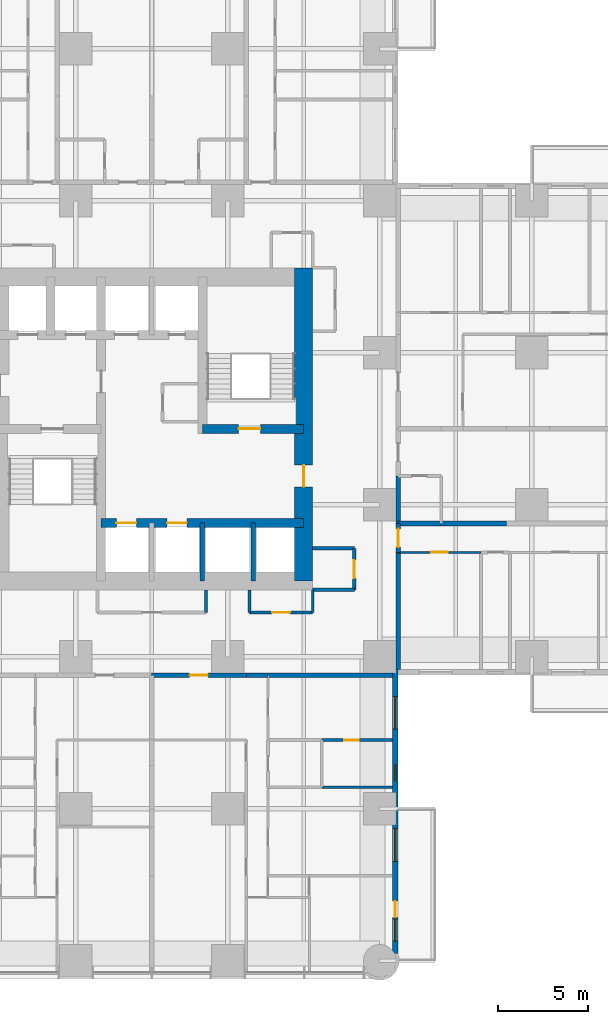
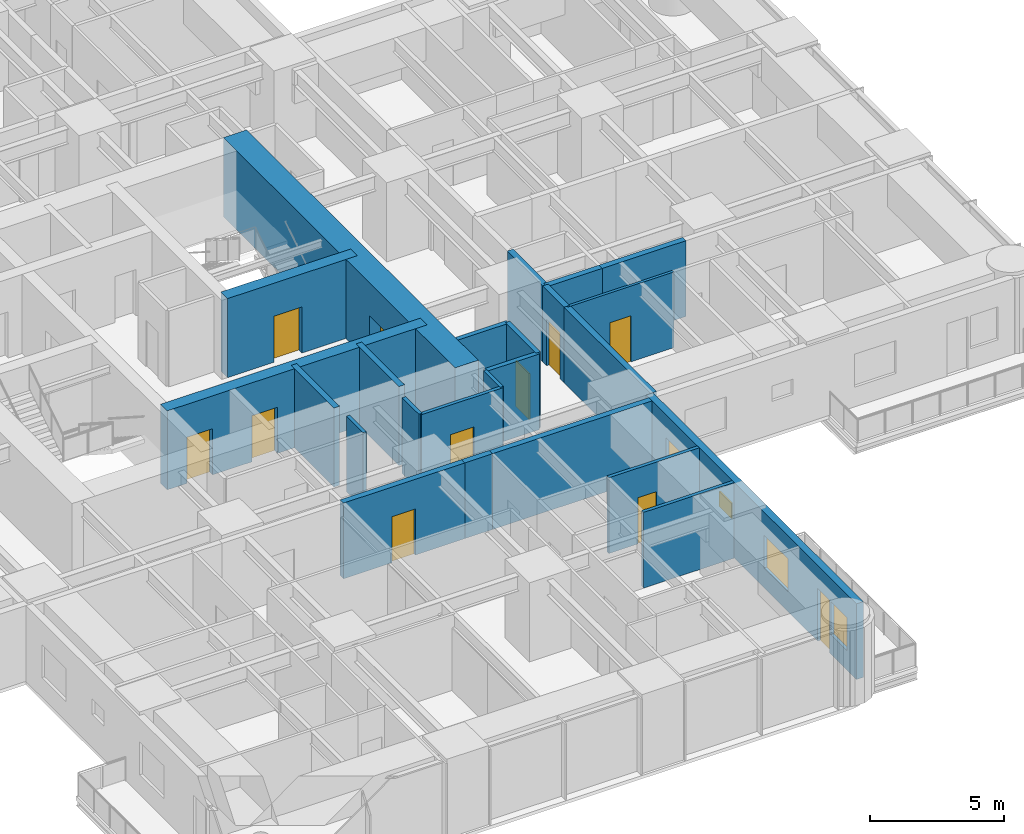
# One storey, part 10 of 17: 24 walls, 11 doors, 4 windows, 15 openings.
"""IFC4 building model written with IfcOpenShell, lengths in metres."""

from ifc_helpers import new_model, si_unit, direction, frame, frame_2d, origin, place, context, subcontext, project, spatial, rectangle, extrude, material, layer, layer_set, type_object, element, fill, save


model = new_model("IFC4")

# Units and contexts
model_context = context("Model", 3, precision=1e-05, world=origin(), true_north=direction((0.0, 1.0)))
body_context = subcontext(model_context, "Body", "Model", "MODEL_VIEW")
ifc_project = project(units=[si_unit("LENGTHUNIT", "METRE"), si_unit("AREAUNIT", "SQUARE_METRE"), si_unit("VOLUMEUNIT", "CUBIC_METRE"), si_unit("PLANEANGLEUNIT", "RADIAN"), si_unit("MASSUNIT", "GRAM", prefix="KILO")], contexts=[model_context])

# Site, building, storey
site_placement = place(None, origin())
site = spatial("IfcSite", under=ifc_project, at=site_placement, CompositionType="ELEMENT")
building_placement = place(site_placement, origin())
building = spatial("IfcBuilding", under=site, at=building_placement, Name="Torre Alcanfor", CompositionType="ELEMENT")
storey_placement = place(building_placement, frame((0.0, 0.0, 92.10009765625)))
storey = spatial("IfcBuildingStorey", under=building, at=storey_placement, Name="L23", CompositionType="ELEMENT", Elevation=92.10009765625)

# Wall
ifc_material_1 = material(Name="Concrete block masonry, hollow blocks NMX-C-404 9 MPa", Category="masonry")
ifc_layer_1 = layer(ifc_material_1, 0.25)
ifc_layer_set_1 = layer_set([ifc_layer_1], Name="Apartment entrance wall 250 EI 60")
wall_type_1 = type_object("IfcWallType", Name="Apartment entrance wall 250 EI 60", PredefinedType="PARTITIONING", material=ifc_layer_set_1)
wall_1_placement = place(storey_placement, frame((43.02490234375, 26.800048828125, 0.0), z_axis=(0.0, 0.0, 1.0), x_axis=(0.0, -1.0, 0.0)))
element("IfcWall", 1, at=wall_1_placement, inside=storey, type_object=wall_type_1, Name="Partition L23-CORR / L23-E2A-BATH", PredefinedType="PARTITIONING", context=body_context, shape_type="SweptSolid", body=[
    extrude(rectangle(XDim=2.629150390625, YDim=0.25, at=frame_2d((1.314453125, 0.0))), origin(), (0.0, 0.0, 1.0), 3.449951171875),
])

# Wall, opening, door
wall_2_placement = place(storey_placement, frame((43.02490234375, 24.1708984375, 0.0), z_axis=(0.0, 0.0, 1.0), x_axis=(0.0, -1.0, 0.0)))
wall_2 = element("IfcWall", 2, at=wall_2_placement, inside=storey, type_object=wall_type_1, Name="Partition L23-CORR / L23-E2B-HALL", PredefinedType="PARTITIONING", context=body_context, shape_type="SweptSolid", body=[
    extrude(rectangle(XDim=1.599853515625, YDim=0.25, at=frame_2d((0.7998046875, 0.0))), origin(), (0.0, 0.0, 1.0), 3.449951171875),
])
opening_1_placement = place(wall_2_placement, frame((0.300048828125, 0.0, 0.0)))
opening_1 = element("IfcOpeningElement", 3, at=opening_1_placement, cuts=wall_2, Name="Opening D-A1", PredefinedType="OPENING", context=body_context, shape_type="SweptSolid", body=[
    extrude(rectangle(XDim=1.0, YDim=2.10009765625, at=frame_2d((0.5, 1.050048828125))), frame((0.0, 0.135009765625, 0.0), z_axis=(0.0, -1.0, 0.0), x_axis=(1.0, 0.0, 0.0)), (0.0, 0.0, 1.0), 0.27001953125),
])
ifc_material_2 = material(Name="Galvanised steel sheet ASTM A653", Category="steel")
door_type_1 = type_object("IfcDoorType", Name="Apartment entrance door FD60 1000x2100", OperationType="SINGLE_SWING_LEFT", PredefinedType="DOOR", material=ifc_material_2)
door_1_placement = place(opening_1_placement, origin())
door_1 = element("IfcDoor", 4, at=door_1_placement, inside=storey, type_object=door_type_1, Name="Apartment entrance L23-E2B", OperationType="SINGLE_SWING_LEFT", OverallHeight=2.10009765625, OverallWidth=1.0, PredefinedType="DOOR", context=body_context, shape_type="SweptSolid", body=[
    extrude(rectangle(XDim=1.0, YDim=2.10009765625, at=frame_2d((0.5, 1.050048828125))), frame((0.0, 0.02490234375, 0.0), z_axis=(0.0, -1.0, 0.0), x_axis=(1.0, 0.0, 0.0)), (0.0, 0.0, 1.0), 0.050048828125),
])
fill(opening_1, door_1)

# Wall
wall_3_placement = place(storey_placement, frame((43.02490234375, 22.571044921875, 0.0), z_axis=(0.0, 0.0, 1.0), x_axis=(0.0, -1.0, 0.0)))
element("IfcWall", 5, at=wall_3_placement, inside=storey, type_object=wall_type_1, Name="Partition L23-CORR / L23-E2B-BED2", PredefinedType="PARTITIONING", context=body_context, shape_type="SweptSolid", body=[
    extrude(rectangle(XDim=6.470947265625, YDim=0.25, at=frame_2d((3.2353515625, 0.0))), origin(), (0.0, 0.0, 1.0), 3.449951171875),
])

# Wall, opening, door
wall_4_placement = place(storey_placement, frame((34.62890625, 15.77490234375, 0.0), z_axis=(0.0, 0.0, 1.0), x_axis=(-1.0, 0.0, 0.0)))
wall_4 = element("IfcWall", 6, at=wall_4_placement, inside=storey, type_object=wall_type_1, Name="Partition L23-CORR / L23-S1-ZAG", PredefinedType="PARTITIONING", context=body_context, shape_type="SweptSolid", body=[
    extrude(rectangle(XDim=5.22900390625, YDim=0.25, at=frame_2d((2.614501953125, 0.0))), origin(), (0.0, 0.0, 1.0), 3.449951171875),
])
opening_2_placement = place(wall_4_placement, frame((2.12890625, 0.0, 0.0)))
opening_2 = element("IfcOpeningElement", 7, at=opening_2_placement, cuts=wall_4, Name="Opening D-A1", PredefinedType="OPENING", context=body_context, shape_type="SweptSolid", body=[
    extrude(rectangle(XDim=1.0, YDim=2.10009765625, at=frame_2d((0.5, 1.050048828125))), frame((0.0, 0.135009765625, 0.0), z_axis=(0.0, -1.0, 0.0), x_axis=(1.0, 0.0, 0.0)), (0.0, 0.0, 1.0), 0.27001953125),
])
door_2_placement = place(opening_2_placement, origin())
door_2 = element("IfcDoor", 8, at=door_2_placement, inside=storey, type_object=door_type_1, Name="Apartment entrance L23-S1", OperationType="SINGLE_SWING_RIGHT", OverallHeight=2.10009765625, OverallWidth=1.0, PredefinedType="DOOR", context=body_context, shape_type="SweptSolid", body=[
    extrude(rectangle(XDim=1.0, YDim=2.10009765625, at=frame_2d((0.5, 1.050048828125))), frame((0.0, 0.02490234375, 0.0), z_axis=(0.0, -1.0, 0.0), x_axis=(1.0, 0.0, 0.0)), (0.0, 0.0, 1.0), 0.050048828125),
])
fill(opening_2, door_2)

# Walls
wall_5_placement = place(storey_placement, frame((35.8291015625, 15.77490234375, 0.0), z_axis=(0.0, 0.0, 1.0), x_axis=(-1.0, 0.0, 0.0)))
element("IfcWall", 9, at=wall_5_placement, inside=storey, type_object=wall_type_1, Name="Partition L23-CORR / L23-S1-HALL", PredefinedType="PARTITIONING", context=body_context, shape_type="SweptSolid", body=[
    extrude(rectangle(XDim=1.2001953125, YDim=0.25, at=frame_2d((0.60009765625, 0.0))), origin(), (0.0, 0.0, 1.0), 3.449951171875),
])
wall_6_placement = place(storey_placement, frame((42.699951171875, 15.77490234375, 0.0), z_axis=(0.0, 0.0, 1.0), x_axis=(-1.0, 0.0, 0.0)))
element("IfcWall", 10, at=wall_6_placement, inside=storey, type_object=wall_type_1, Name="Partition L23-CORR / L23-S1-SERV", PredefinedType="PARTITIONING", context=body_context, shape_type="SweptSolid", body=[
    extrude(rectangle(XDim=6.870849609375, YDim=0.25, at=frame_2d((3.435546875, 0.0))), origin(), (0.0, 0.0, 1.0), 3.449951171875),
])

# Wall, opening, door
ifc_material_3 = material(Name="Gypsum board on steel studs", Category="steel")
ifc_layer_2 = layer(ifc_material_3, 0.1201171875)
ifc_layer_set_2 = layer_set([ifc_layer_2], Name="Apartment partition 120")
wall_type_2 = type_object("IfcWallType", Name="Apartment partition 120", PredefinedType="PARTITIONING", material=ifc_layer_set_2)
wall_7_placement = place(storey_placement, frame((47.60009765625, 22.571044921875, 0.0), z_axis=(0.0, 0.0, 1.0), x_axis=(-1.0, 0.0, 0.0)))
wall_7 = element("IfcWall", 11, at=wall_7_placement, inside=storey, type_object=wall_type_2, Name="Partition L23-E2B-HALL / L23-E2B-BED2", PredefinedType="PARTITIONING", context=body_context, shape_type="SweptSolid", body=[
    extrude(rectangle(XDim=4.5751953125, YDim=0.1201171875, at=frame_2d((2.28759765625, 0.0))), origin(), (0.0, 0.0, 1.0), 3.449951171875),
])
opening_3_placement = place(wall_7_placement, frame((1.85009765625, 0.0, 0.0)))
opening_3 = element("IfcOpeningElement", 12, at=opening_3_placement, cuts=wall_7, Name="Opening D-R1", PredefinedType="OPENING", context=body_context, shape_type="SweptSolid", body=[
    extrude(rectangle(XDim=0.89990234375, YDim=2.10009765625, at=frame_2d((0.449951171875, 1.050048828125))), frame((0.0, 0.070068359375, 0.0), z_axis=(0.0, -1.0, 0.0), x_axis=(1.0, 0.0, 0.0)), (0.0, 0.0, 1.0), 0.14013671875),
])
ifc_material_4 = material(Name="Timber", Category="wood")
door_type_2 = type_object("IfcDoorType", Name="Internal door 900x2100", OperationType="SINGLE_SWING_LEFT", PredefinedType="DOOR", material=ifc_material_4)
door_3_placement = place(opening_3_placement, origin())
door_3 = element("IfcDoor", 13, at=door_3_placement, inside=storey, type_object=door_type_2, Name="Door L23-E2B bed2", OperationType="SINGLE_SWING_RIGHT", OverallHeight=2.10009765625, OverallWidth=0.89990234375, PredefinedType="DOOR", context=body_context, shape_type="SweptSolid", body=[
    extrude(rectangle(XDim=0.89990234375, YDim=2.10009765625, at=frame_2d((0.449951171875, 1.050048828125))), frame((0.0, 0.02490234375, 0.0), z_axis=(0.0, -1.0, 0.0), x_axis=(1.0, 0.0, 0.0)), (0.0, 0.0, 1.0), 0.050048828125),
])
fill(opening_3, door_3)

# Wall, openings, doors
ifc_material_5 = material(Name="Concrete f'c 70 MPa", Category="concrete")
ifc_layer_3 = layer(ifc_material_5, 0.5)
ifc_layer_set_3 = layer_set([ifc_layer_3], Name="Core inner wall 500 f'c70")
wall_type_3 = type_object("IfcWallType", Name="Core inner wall 500 f'c70", PredefinedType="SHEAR", material=ifc_layer_set_3)
wall_8_placement = place(storey_placement, frame((26.60009765625, 24.199951171875, 0.0), z_axis=(0.0, 0.0, 1.0), x_axis=(1.0, 0.0, 0.0)))
wall_8 = element("IfcWall", 14, at=wall_8_placement, inside=storey, type_object=wall_type_3, Name="Core wall Y242 L23", PredefinedType="SHEAR", context=body_context, shape_type="SweptSolid", body=[
    extrude(rectangle(XDim=11.199951171875, YDim=0.5, at=frame_2d((5.60009765625, 0.0))), origin(), (0.0, 0.0, 1.0), 3.599853515625),
])
opening_4_placement = place(wall_8_placement, frame((0.85009765625, 0.0, 0.0)))
opening_4 = element("IfcOpeningElement", 15, at=opening_4_placement, cuts=wall_8, Name="Opening LD1", PredefinedType="OPENING", context=body_context, shape_type="SweptSolid", body=[
    extrude(rectangle(XDim=1.10009765625, YDim=2.10009765625, at=frame_2d((0.550048828125, 1.050048828125))), frame((0.0, 0.260009765625, 0.0), z_axis=(0.0, -1.0, 0.0), x_axis=(1.0, 0.0, 0.0)), (0.0, 0.0, 1.0), 0.52001953125),
])
opening_5_placement = place(wall_8_placement, frame((3.64990234375, 0.0, 0.0)))
opening_5 = element("IfcOpeningElement", 16, at=opening_5_placement, cuts=wall_8, Name="Opening LD1", PredefinedType="OPENING", context=body_context, shape_type="SweptSolid", body=[
    extrude(rectangle(XDim=1.10009765625, YDim=2.10009765625, at=frame_2d((0.550048828125, 1.050048828125))), frame((0.0, 0.260009765625, 0.0), z_axis=(0.0, -1.0, 0.0), x_axis=(1.0, 0.0, 0.0)), (0.0, 0.0, 1.0), 0.52001953125),
])
ifc_material_6 = material(Name="Galvanised steel sheet ASTM A653", Category="steel")
door_type_3 = type_object("IfcDoorType", Name="Lift landing door 1100x2100", OperationType="DOUBLE_DOOR_SLIDING", PredefinedType="DOOR", material=ifc_material_6)
door_4_placement = place(opening_4_placement, origin())
door_4 = element("IfcDoor", 17, at=door_4_placement, inside=storey, type_object=door_type_3, Name="Lift landing door PA1 L23", OperationType="DOUBLE_DOOR_SLIDING", OverallHeight=2.10009765625, OverallWidth=1.10009765625, PredefinedType="DOOR", context=body_context, shape_type="SweptSolid", body=[
    extrude(rectangle(XDim=1.10009765625, YDim=2.10009765625, at=frame_2d((0.550048828125, 1.050048828125))), frame((0.0, 0.02490234375, 0.0), z_axis=(0.0, -1.0, 0.0), x_axis=(1.0, 0.0, 0.0)), (0.0, 0.0, 1.0), 0.050048828125),
])
fill(opening_4, door_4)
door_5_placement = place(opening_5_placement, origin())
door_5 = element("IfcDoor", 18, at=door_5_placement, inside=storey, type_object=door_type_3, Name="Lift landing door PA2 L23", OperationType="DOUBLE_DOOR_SLIDING", OverallHeight=2.10009765625, OverallWidth=1.10009765625, PredefinedType="DOOR", context=body_context, shape_type="SweptSolid", body=[
    extrude(rectangle(XDim=1.10009765625, YDim=2.10009765625, at=frame_2d((0.550048828125, 1.050048828125))), frame((0.0, 0.02490234375, 0.0), z_axis=(0.0, -1.0, 0.0), x_axis=(1.0, 0.0, 0.0)), (0.0, 0.0, 1.0), 0.050048828125),
])
fill(opening_5, door_5)

# Wall, opening, door
wall_9_placement = place(storey_placement, frame((32.199951171875, 29.39990234375, 0.0), z_axis=(0.0, 0.0, 1.0), x_axis=(1.0, 0.0, 0.0)))
wall_9 = element("IfcWall", 19, at=wall_9_placement, inside=storey, type_object=wall_type_3, Name="Core wall Y294E L23", PredefinedType="SHEAR", context=body_context, shape_type="SweptSolid", body=[
    extrude(rectangle(XDim=5.60009765625, YDim=0.5, at=frame_2d((2.800048828125, 0.0))), origin(), (0.0, 0.0, 1.0), 3.599853515625),
])
opening_6_placement = place(wall_9_placement, frame((2.0, 0.0, 0.0)))
opening_6 = element("IfcOpeningElement", 20, at=opening_6_placement, cuts=wall_9, Name="Opening D-S2", PredefinedType="OPENING", context=body_context, shape_type="SweptSolid", body=[
    extrude(rectangle(XDim=1.199951171875, YDim=2.10009765625, at=frame_2d((0.60009765625, 1.050048828125))), frame((0.0, 0.260009765625, 0.0), z_axis=(0.0, -1.0, 0.0), x_axis=(1.0, 0.0, 0.0)), (0.0, 0.0, 1.0), 0.52001953125),
])
ifc_material_7 = material(Name="Galvanised steel sheet ASTM A653", Category="steel")
door_type_4 = type_object("IfcDoorType", Name="Stair enclosure door FD120 1200x2100", OperationType="SINGLE_SWING_LEFT", PredefinedType="DOOR", material=ifc_material_7)
door_6_placement = place(opening_6_placement, origin())
door_6 = element("IfcDoor", 21, at=door_6_placement, inside=storey, type_object=door_type_4, Name="Stair S2 door L23", OperationType="SINGLE_SWING_LEFT", OverallHeight=2.10009765625, OverallWidth=1.199951171875, PredefinedType="DOOR", context=body_context, shape_type="SweptSolid", body=[
    extrude(rectangle(XDim=1.199951171875, YDim=2.10009765625, at=frame_2d((0.60009765625, 1.050048828125))), frame((0.0, 0.02490234375, 0.0), z_axis=(0.0, -1.0, 0.0), x_axis=(1.0, 0.0, 0.0)), (0.0, 0.0, 1.0), 0.050048828125),
])
fill(opening_6, door_6)

# Walls
ifc_material_8 = material(Name="Concrete f'c 70 MPa", Category="concrete")
ifc_layer_4 = layer(ifc_material_8, 0.25)
ifc_layer_set_4 = layer_set([ifc_layer_4], Name="Core shaft wall 250 f'c70")
wall_type_4 = type_object("IfcWallType", Name="Core shaft wall 250 f'c70", PredefinedType="SHEAR", material=ifc_layer_set_4)
for number, where, z_axis, x_axis, name in (
    (22, (32.199951171875, 21.0, 0.0), (0.0, 0.0, 1.0), (0.0, 1.0, 0.0), "Core wall X322S L23"),
    (23, (35.0, 21.0, 0.0), (0.0, 0.0, 1.0), (0.0, 1.0, 0.0), "Core wall X350S L23"),
):
    element("IfcWall", number, at=place(storey_placement, frame(where, z_axis=z_axis, x_axis=x_axis)), inside=storey, type_object=wall_type_4, Name=name, PredefinedType="SHEAR", context=body_context, shape_type="SweptSolid", body=[
        extrude(rectangle(XDim=3.199951171875, YDim=0.25, at=frame_2d((1.60009765625, 0.0))), origin(), (0.0, 0.0, 1.0), 3.599853515625),
    ])

# Wall, opening, door
ifc_material_9 = material(Name="Concrete f'c 70 MPa", Category="concrete")
ifc_layer_5 = layer(ifc_material_9, 1.0)
ifc_layer_set_5 = layer_set([ifc_layer_5], Name="Core wall 1000 f'c70")
wall_type_5 = type_object("IfcWallType", Name="Core wall 1000 f'c70", PredefinedType="SHEAR", material=ifc_layer_set_5)
wall_10_placement = place(storey_placement, frame((37.800048828125, 21.0, 0.0), z_axis=(0.0, 0.0, 1.0), x_axis=(0.0, 1.0, 0.0)))
wall_10 = element("IfcWall", 24, at=wall_10_placement, inside=storey, type_object=wall_type_5, Name="Core wall OUT-E L23", PredefinedType="SHEAR", context=body_context, shape_type="SweptSolid", body=[
    extrude(rectangle(XDim=17.300048828125, YDim=1.0, at=frame_2d((8.64990234375, 0.0))), origin(), (0.0, 0.0, 1.0), 3.599853515625),
])
opening_7_placement = place(wall_10_placement, frame((5.199951171875, 0.0, 0.0)))
opening_7 = element("IfcOpeningElement", 25, at=opening_7_placement, cuts=wall_10, Name="Opening D-L1", PredefinedType="OPENING", context=body_context, shape_type="SweptSolid", body=[
    extrude(rectangle(XDim=1.199951171875, YDim=2.10009765625, at=frame_2d((0.60009765625, 1.050048828125))), frame((0.0, 0.510009765625, 0.0), z_axis=(0.0, -1.0, 0.0), x_axis=(1.0, 0.0, 0.0)), (0.0, 0.0, 1.0), 1.02001953125),
])
ifc_material_10 = material(Name="Galvanised steel sheet ASTM A653", Category="steel")
door_type_5 = type_object("IfcDoorType", Name="Lobby door FD120 1200x2100", OperationType="SINGLE_SWING_LEFT", PredefinedType="DOOR", material=ifc_material_10)
door_7_placement = place(opening_7_placement, origin())
door_7 = element("IfcDoor", 26, at=door_7_placement, inside=storey, type_object=door_type_5, Name="Lift lobby entrance door L23", OperationType="SINGLE_SWING_LEFT", OverallHeight=2.10009765625, OverallWidth=1.199951171875, PredefinedType="DOOR", context=body_context, shape_type="SweptSolid", body=[
    extrude(rectangle(XDim=1.199951171875, YDim=2.10009765625, at=frame_2d((0.60009765625, 1.050048828125))), frame((0.0, 0.02490234375, 0.0), z_axis=(0.0, -1.0, 0.0), x_axis=(1.0, 0.0, 0.0)), (0.0, 0.0, 1.0), 0.050048828125),
])
fill(opening_7, door_7)

# Wall, openings, door, windows
ifc_material_11 = material(Name="Limestone cladding", Category="masonry")
ifc_layer_6 = layer(ifc_material_11, 0.0400390625, Name="Facing")
ifc_material_12 = material(Name="Ventilated air cavity")
ifc_layer_7 = layer(ifc_material_12, 0.02001953125, ventilated=True, Name="Ventilated joint")
ifc_material_13 = material(Name="Mineral wool insulation", Category="insulation")
ifc_layer_8 = layer(ifc_material_13, 0.10009765625, Name="Insulation")
ifc_material_14 = material(Name="Concrete f'c 35 MPa", Category="concrete")
ifc_layer_9 = layer(ifc_material_14, 0.139892578125, Name="Backing")
ifc_layer_set_6 = layer_set([ifc_layer_6, ifc_layer_7, ifc_layer_8, ifc_layer_9], Name="External wall stone-clad 300")
wall_type_6 = type_object("IfcWallType", Name="External wall stone-clad 300", PredefinedType="SOLIDWALL", material=ifc_layer_set_6)
wall_11_placement = place(storey_placement, frame((42.85009765625, 0.39990234375, 0.0), z_axis=(0.0, 0.0, 1.0), x_axis=(0.0, 1.0, 0.0)))
wall_11 = element("IfcWall", 27, at=wall_11_placement, inside=storey, type_object=wall_type_6, Name="External wall L23 6", PredefinedType="SOLIDWALL", context=body_context, shape_type="SweptSolid", body=[
    extrude(rectangle(XDim=15.7001953125, YDim=0.300048828125, at=frame_2d((7.85009765625, 0.0))), origin(), (0.0, 0.0, 1.0), 3.449951171875),
])
opening_8_placement = place(wall_11_placement, frame((12.39990234375, 0.0, 0.89990234375)))
opening_8 = element("IfcOpeningElement", 28, at=opening_8_placement, cuts=wall_11, Name="Opening W2", PredefinedType="OPENING", context=body_context, shape_type="SweptSolid", body=[
    extrude(rectangle(XDim=1.800048828125, YDim=1.5, at=frame_2d((0.89990234375, 0.75))), frame((0.0, 0.159912109375, 0.0), z_axis=(0.0, -1.0, 0.0), x_axis=(1.0, 0.0, 0.0)), (0.0, 0.0, 1.0), 0.320068359375),
])
opening_9_placement = place(wall_11_placement, frame((9.550048828125, 0.0, 1.5)))
opening_9 = element("IfcOpeningElement", 29, at=opening_9_placement, cuts=wall_11, Name="Opening W3", PredefinedType="OPENING", context=body_context, shape_type="SweptSolid", body=[
    extrude(rectangle(XDim=0.89990234375, YDim=0.699951171875, at=frame_2d((0.449951171875, 0.35009765625))), frame((0.0, 0.159912109375, 0.0), z_axis=(0.0, -1.0, 0.0), x_axis=(1.0, 0.0, 0.0)), (0.0, 0.0, 1.0), 0.320068359375),
])
opening_10_placement = place(wall_11_placement, frame((5.10009765625, 0.0, 0.89990234375)))
opening_10 = element("IfcOpeningElement", 30, at=opening_10_placement, cuts=wall_11, Name="Opening W2", PredefinedType="OPENING", context=body_context, shape_type="SweptSolid", body=[
    extrude(rectangle(XDim=1.800048828125, YDim=1.5, at=frame_2d((0.89990234375, 0.75))), frame((0.0, 0.159912109375, 0.0), z_axis=(0.0, -1.0, 0.0), x_axis=(1.0, 0.0, 0.0)), (0.0, 0.0, 1.0), 0.320068359375),
])
opening_11_placement = place(wall_11_placement, frame((2.0, 0.0, 0.0)))
opening_11 = element("IfcOpeningElement", 31, at=opening_11_placement, cuts=wall_11, Name="Opening D-B1", PredefinedType="OPENING", context=body_context, shape_type="SweptSolid", body=[
    extrude(rectangle(XDim=0.89990234375, YDim=2.39990234375, at=frame_2d((0.449951171875, 1.199951171875))), frame((0.0, 0.159912109375, 0.0), z_axis=(0.0, -1.0, 0.0), x_axis=(1.0, 0.0, 0.0)), (0.0, 0.0, 1.0), 0.320068359375),
])
opening_12_placement = place(wall_11_placement, frame((0.699951171875, 0.0, 0.89990234375)))
opening_12 = element("IfcOpeningElement", 32, at=opening_12_placement, cuts=wall_11, Name="Opening W4", PredefinedType="OPENING", context=body_context, shape_type="SweptSolid", body=[
    extrude(rectangle(XDim=1.199951171875, YDim=1.5, at=frame_2d((0.60009765625, 0.75))), frame((0.0, 0.159912109375, 0.0), z_axis=(0.0, -1.0, 0.0), x_axis=(1.0, 0.0, 0.0)), (0.0, 0.0, 1.0), 0.320068359375),
])
ifc_material_15 = material(Name="Aluminium and glass", Category="aluminium")
door_type_6 = type_object("IfcDoorType", Name="Balcony door glazed 900x2400", OperationType="SINGLE_SWING_LEFT", PredefinedType="DOOR", material=ifc_material_15)
door_8_placement = place(opening_11_placement, origin())
door_8 = element("IfcDoor", 33, at=door_8_placement, inside=storey, type_object=door_type_6, Name="Balcony door L23-S1", OperationType="SINGLE_SWING_RIGHT", OverallHeight=2.39990234375, OverallWidth=0.89990234375, PredefinedType="DOOR", context=body_context, shape_type="SweptSolid", body=[
    extrude(rectangle(XDim=0.89990234375, YDim=2.39990234375, at=frame_2d((0.449951171875, 1.199951171875))), frame((0.0, 0.02490234375, 0.0), z_axis=(0.0, -1.0, 0.0), x_axis=(1.0, 0.0, 0.0)), (0.0, 0.0, 1.0), 0.050048828125),
])
fill(opening_11, door_8)
ifc_material_16 = material(Name="Aluminium frame with clear double glazing", Category="aluminium")
window_type_1 = type_object("IfcWindowType", Name="Window bathroom 900x700", PartitioningType="SINGLE_PANEL", PredefinedType="WINDOW", material=ifc_material_16)
window_1_placement = place(opening_9_placement, origin())
window_1 = element("IfcWindow", 34, at=window_1_placement, inside=storey, type_object=window_type_1, Name="Window W3 L23-S1", OverallHeight=0.699951171875, OverallWidth=0.89990234375, PartitioningType="SINGLE_PANEL", PredefinedType="WINDOW", context=body_context, shape_type="SweptSolid", body=[
    extrude(rectangle(XDim=0.89990234375, YDim=0.699951171875, at=frame_2d((0.449951171875, 0.35009765625))), frame((0.0, 0.030029296875, 0.0), z_axis=(0.0, -1.0, 0.0), x_axis=(1.0, 0.0, 0.0)), (0.0, 0.0, 1.0), 0.06005859375),
])
fill(opening_9, window_1)
ifc_material_17 = material(Name="Aluminium frame with clear double glazing", Category="aluminium")
window_type_2 = type_object("IfcWindowType", Name="Window bedroom 1200x1500", PartitioningType="SINGLE_PANEL", PredefinedType="WINDOW", material=ifc_material_17)
window_2_placement = place(opening_12_placement, origin())
window_2 = element("IfcWindow", 35, at=window_2_placement, inside=storey, type_object=window_type_2, Name="Window W4 L23-S1", OverallHeight=1.5, OverallWidth=1.199951171875, PartitioningType="SINGLE_PANEL", PredefinedType="WINDOW", context=body_context, shape_type="SweptSolid", body=[
    extrude(rectangle(XDim=1.199951171875, YDim=1.5, at=frame_2d((0.60009765625, 0.75))), frame((0.0, 0.030029296875, 0.0), z_axis=(0.0, -1.0, 0.0), x_axis=(1.0, 0.0, 0.0)), (0.0, 0.0, 1.0), 0.06005859375),
])
fill(opening_12, window_2)
ifc_material_18 = material(Name="Aluminium frame with clear double glazing", Category="aluminium")
window_type_3 = type_object("IfcWindowType", Name="Window bedroom 1800x1500", PartitioningType="SINGLE_PANEL", PredefinedType="WINDOW", material=ifc_material_18)
window_3_placement = place(opening_8_placement, origin())
window_3 = element("IfcWindow", 36, at=window_3_placement, inside=storey, type_object=window_type_3, Name="Window W2 L23-S1", OverallHeight=1.5, OverallWidth=1.800048828125, PartitioningType="SINGLE_PANEL", PredefinedType="WINDOW", context=body_context, shape_type="SweptSolid", body=[
    extrude(rectangle(XDim=1.800048828125, YDim=1.5, at=frame_2d((0.89990234375, 0.75))), frame((0.0, 0.030029296875, 0.0), z_axis=(0.0, -1.0, 0.0), x_axis=(1.0, 0.0, 0.0)), (0.0, 0.0, 1.0), 0.06005859375),
])
fill(opening_8, window_3)
window_4_placement = place(opening_10_placement, origin())
window_4 = element("IfcWindow", 37, at=window_4_placement, inside=storey, type_object=window_type_3, Name="Window W2 L23-S1", OverallHeight=1.5, OverallWidth=1.800048828125, PartitioningType="SINGLE_PANEL", PredefinedType="WINDOW", context=body_context, shape_type="SweptSolid", body=[
    extrude(rectangle(XDim=1.800048828125, YDim=1.5, at=frame_2d((0.89990234375, 0.75))), frame((0.0, 0.030029296875, 0.0), z_axis=(0.0, -1.0, 0.0), x_axis=(1.0, 0.0, 0.0)), (0.0, 0.0, 1.0), 0.06005859375),
])
fill(opening_10, window_4)

# Walls
ifc_material_19 = material(Name="Concrete block masonry, hollow blocks NMX-C-404 9 MPa", Category="masonry")
ifc_layer_10 = layer(ifc_material_19, 0.25)
ifc_layer_set_7 = layer_set([ifc_layer_10], Name="Party wall 250 EI 60")
wall_type_7 = type_object("IfcWallType", Name="Party wall 250 EI 60", PredefinedType="PARTITIONING", material=ifc_layer_set_7)
wall_12_placement = place(storey_placement, frame((45.39990234375, 24.1708984375, 0.0), z_axis=(0.0, 0.0, 1.0), x_axis=(-1.0, 0.0, 0.0)))
element("IfcWall", 38, at=wall_12_placement, inside=storey, type_object=wall_type_7, Name="Partition L23-E2A-BATH / L23-E2B-HALL", PredefinedType="PARTITIONING", context=body_context, shape_type="SweptSolid", body=[
    extrude(rectangle(XDim=2.375, YDim=0.25, at=frame_2d((1.1875, 0.0))), origin(), (0.0, 0.0, 1.0), 3.449951171875),
])
wall_13_placement = place(storey_placement, frame((49.0, 24.1708984375, 0.0), z_axis=(0.0, 0.0, 1.0), x_axis=(-1.0, 0.0, 0.0)))
element("IfcWall", 39, at=wall_13_placement, inside=storey, type_object=wall_type_7, Name="Partition L23-E2A-KITCHEN / L23-E2B-HALL", PredefinedType="PARTITIONING", context=body_context, shape_type="SweptSolid", body=[
    extrude(rectangle(XDim=3.60009765625, YDim=0.25, at=frame_2d((1.800048828125, 0.0))), origin(), (0.0, 0.0, 1.0), 3.449951171875),
])
ifc_material_20 = material(Name="Concrete block masonry, hollow blocks NMX-C-404 9 MPa", Category="masonry")
ifc_layer_11 = layer(ifc_material_20, 0.199951171875)
ifc_layer_set_8 = layer_set([ifc_layer_11], Name="Plant room wall 200 EI 60")
wall_type_8 = type_object("IfcWallType", Name="Plant room wall 200 EI 60", PredefinedType="PARTITIONING", material=ifc_layer_set_8)
wall_14_placement = place(storey_placement, frame((38.300048828125, 20.5, 0.0), z_axis=(0.0, 0.0, 1.0), x_axis=(1.0, 0.0, 0.0)))
element("IfcWall", 40, at=wall_14_placement, inside=storey, type_object=wall_type_8, Name="Partition L23-CORR / L23-G03", PredefinedType="PARTITIONING", context=body_context, shape_type="SweptSolid", body=[
    extrude(rectangle(XDim=2.300048828125, YDim=0.199951171875, at=frame_2d((1.14990234375, 0.0))), origin(), (0.0, 0.0, 1.0), 3.449951171875),
])

# Wall, opening, door
wall_15_placement = place(storey_placement, frame((40.60009765625, 20.5, 0.0), z_axis=(0.0, 0.0, 1.0), x_axis=(0.0, 1.0, 0.0)))
wall_15 = element("IfcWall", 41, at=wall_15_placement, inside=storey, type_object=wall_type_8, Name="Partition L23-CORR / L23-G03", PredefinedType="PARTITIONING", context=body_context, shape_type="SweptSolid", body=[
    extrude(rectangle(XDim=2.300048828125, YDim=0.199951171875, at=frame_2d((1.14990234375, 0.0))), origin(), (0.0, 0.0, 1.0), 3.449951171875),
])
opening_13_placement = place(wall_15_placement, frame((0.64990234375, 0.0, 0.0)))
opening_13 = element("IfcOpeningElement", 42, at=opening_13_placement, cuts=wall_15, Name="Opening D-K1", PredefinedType="OPENING", context=body_context, shape_type="SweptSolid", body=[
    extrude(rectangle(XDim=1.0, YDim=2.10009765625, at=frame_2d((0.5, 1.050048828125))), frame((0.0, 0.10986328125, 0.0), z_axis=(0.0, -1.0, 0.0), x_axis=(1.0, 0.0, 0.0)), (0.0, 0.0, 1.0), 0.219970703125),
])
ifc_material_21 = material(Name="Galvanised steel sheet ASTM A653", Category="steel")
door_type_7 = type_object("IfcDoorType", Name="Core room door FD60 1000x2100", OperationType="SINGLE_SWING_LEFT", PredefinedType="DOOR", material=ifc_material_21)
door_9_placement = place(opening_13_placement, origin())
door_9 = element("IfcDoor", 43, at=door_9_placement, inside=storey, type_object=door_type_7, Name="Door L23-G03 refuse and recycling store", OperationType="SINGLE_SWING_LEFT", OverallHeight=2.10009765625, OverallWidth=1.0, PredefinedType="DOOR", context=body_context, shape_type="SweptSolid", body=[
    extrude(rectangle(XDim=1.0, YDim=2.10009765625, at=frame_2d((0.5, 1.050048828125))), frame((0.0, 0.02490234375, 0.0), z_axis=(0.0, -1.0, 0.0), x_axis=(1.0, 0.0, 0.0)), (0.0, 0.0, 1.0), 0.050048828125),
])
fill(opening_13, door_9)

# Walls
wall_16_placement = place(storey_placement, frame((40.60009765625, 22.800048828125, 0.0), z_axis=(0.0, 0.0, 1.0), x_axis=(-1.0, 0.0, 0.0)))
element("IfcWall", 44, at=wall_16_placement, inside=storey, type_object=wall_type_8, Name="Partition L23-CORR / L23-G03", PredefinedType="PARTITIONING", context=body_context, shape_type="SweptSolid", body=[
    extrude(rectangle(XDim=2.300048828125, YDim=0.199951171875, at=frame_2d((1.14990234375, 0.0))), origin(), (0.0, 0.0, 1.0), 3.449951171875),
])
ifc_material_22 = material(Name="Concrete block masonry, hollow blocks NMX-C-404 9 MPa", Category="masonry")
ifc_layer_12 = layer(ifc_material_22, 0.14990234375)
ifc_layer_set_9 = layer_set([ifc_layer_12], Name="Residents' room partition 150")
wall_type_9 = type_object("IfcWallType", Name="Residents' room partition 150", PredefinedType="PARTITIONING", material=ifc_layer_set_9)
for number, where, z_axis, x_axis, name in (
    (45, (32.39990234375, 19.25, 0.0), (0.0, 0.0, 1.0), (0.0, 1.0, 0.0), "Partition L23-CORR / L23-G05"),
    (46, (34.800048828125, 20.5, 0.0), (0.0, 0.0, 1.0), (0.0, -1.0, 0.0), "Partition L23-CORR / L23-G06"),
):
    element("IfcWall", number, at=place(storey_placement, frame(where, z_axis=z_axis, x_axis=x_axis)), inside=storey, type_object=wall_type_9, Name=name, PredefinedType="PARTITIONING", context=body_context, shape_type="SweptSolid", body=[
        extrude(rectangle(XDim=1.25, YDim=0.14990234375, at=frame_2d((0.625, 0.0))), origin(), (0.0, 0.0, 1.0), 3.449951171875),
    ])

# Wall, opening, door
wall_17_placement = place(storey_placement, frame((34.800048828125, 19.25, 0.0), z_axis=(0.0, 0.0, 1.0), x_axis=(1.0, 0.0, 0.0)))
wall_17 = element("IfcWall", 47, at=wall_17_placement, inside=storey, type_object=wall_type_9, Name="Partition L23-CORR / L23-G06", PredefinedType="PARTITIONING", context=body_context, shape_type="SweptSolid", body=[
    extrude(rectangle(XDim=3.5, YDim=0.14990234375, at=frame_2d((1.75, 0.0))), origin(), (0.0, 0.0, 1.0), 3.449951171875),
])
opening_14_placement = place(wall_17_placement, frame((1.25, 0.0, 0.0)))
opening_14 = element("IfcOpeningElement", 48, at=opening_14_placement, cuts=wall_17, Name="Opening D-M1", PredefinedType="OPENING", context=body_context, shape_type="SweptSolid", body=[
    extrude(rectangle(XDim=1.0, YDim=2.10009765625, at=frame_2d((0.5, 1.050048828125))), frame((0.0, 0.0849609375, 0.0), z_axis=(0.0, -1.0, 0.0), x_axis=(1.0, 0.0, 0.0)), (0.0, 0.0, 1.0), 0.169921875),
])
ifc_material_23 = material(Name="Timber", Category="wood")
door_type_8 = type_object("IfcDoorType", Name="Residents' room door 1000x2100", OperationType="SINGLE_SWING_LEFT", PredefinedType="DOOR", material=ifc_material_23)
door_10_placement = place(opening_14_placement, origin())
door_10 = element("IfcDoor", 49, at=door_10_placement, inside=storey, type_object=door_type_8, Name="Door L23-G06 bicycle store", OperationType="SINGLE_SWING_LEFT", OverallHeight=2.10009765625, OverallWidth=1.0, PredefinedType="DOOR", context=body_context, shape_type="SweptSolid", body=[
    extrude(rectangle(XDim=1.0, YDim=2.10009765625, at=frame_2d((0.5, 1.050048828125))), frame((0.0, 0.02490234375, 0.0), z_axis=(0.0, -1.0, 0.0), x_axis=(1.0, 0.0, 0.0)), (0.0, 0.0, 1.0), 0.050048828125),
])
fill(opening_14, door_10)

# Wall
wall_18_placement = place(storey_placement, frame((38.300048828125, 19.25, 0.0), z_axis=(0.0, 0.0, 1.0), x_axis=(0.0, 1.0, 0.0)))
element("IfcWall", 50, at=wall_18_placement, inside=storey, type_object=wall_type_9, Name="Partition L23-CORR / L23-G06", PredefinedType="PARTITIONING", context=body_context, shape_type="SweptSolid", body=[
    extrude(rectangle(XDim=1.25, YDim=0.14990234375, at=frame_2d((0.625, 0.0))), origin(), (0.0, 0.0, 1.0), 3.449951171875),
])

# Wall, opening, door
ifc_material_24 = material(Name="Cement board on steel studs", Category="steel")
ifc_layer_13 = layer(ifc_material_24, 0.14990234375)
ifc_layer_set_10 = layer_set([ifc_layer_13], Name="Wet area partition 150")
wall_type_10 = type_object("IfcWallType", Name="Wet area partition 150", PredefinedType="PARTITIONING", material=ifc_layer_set_10)
wall_19_placement = place(storey_placement, frame((38.800048828125, 12.199951171875, 0.0), z_axis=(0.0, 0.0, 1.0), x_axis=(1.0, 0.0, 0.0)))
wall_19 = element("IfcWall", 51, at=wall_19_placement, inside=storey, type_object=wall_type_10, Name="Partition L23-S1-SERV / L23-S1-SBATH", PredefinedType="PARTITIONING", context=body_context, shape_type="SweptSolid", body=[
    extrude(rectangle(XDim=3.89990234375, YDim=0.14990234375, at=frame_2d((1.949951171875, 0.0))), origin(), (0.0, 0.0, 1.0), 3.449951171875),
])
opening_15_placement = place(wall_19_placement, frame((1.25, 0.0, 0.0)))
opening_15 = element("IfcOpeningElement", 52, at=opening_15_placement, cuts=wall_19, Name="Opening D-R2", PredefinedType="OPENING", context=body_context, shape_type="SweptSolid", body=[
    extrude(rectangle(XDim=0.800048828125, YDim=2.10009765625, at=frame_2d((0.39990234375, 1.050048828125))), frame((0.0, 0.0849609375, 0.0), z_axis=(0.0, -1.0, 0.0), x_axis=(1.0, 0.0, 0.0)), (0.0, 0.0, 1.0), 0.169921875),
])
ifc_material_25 = material(Name="Timber", Category="wood")
door_type_9 = type_object("IfcDoorType", Name="Bathroom door 800x2100", OperationType="SINGLE_SWING_LEFT", PredefinedType="DOOR", material=ifc_material_25)
door_11_placement = place(opening_15_placement, frame((0.800048828125, 0.0, 0.0), z_axis=(0.0, 0.0, 1.0), x_axis=(-1.0, 0.0, 0.0)))
door_11 = element("IfcDoor", 53, at=door_11_placement, inside=storey, type_object=door_type_9, Name="Door L23-S1 sbath", OperationType="SINGLE_SWING_RIGHT", OverallHeight=2.10009765625, OverallWidth=0.800048828125, PredefinedType="DOOR", context=body_context, shape_type="SweptSolid", body=[
    extrude(rectangle(XDim=0.800048828125, YDim=2.10009765625, at=frame_2d((0.400146484375, 1.050048828125))), frame((0.0, 0.025146484375, 0.0), z_axis=(0.0, -1.0, 0.0), x_axis=(1.0, 0.0, 0.0)), (0.0, 0.0, 1.0), 0.050048828125),
])
fill(opening_15, door_11)

# Wall
wall_20_placement = place(storey_placement, frame((38.800048828125, 9.60009765625, 0.0), z_axis=(0.0, 0.0, 1.0), x_axis=(1.0, 0.0, 0.0)))
element("IfcWall", 54, at=wall_20_placement, inside=storey, type_object=wall_type_10, Name="Partition L23-S1-SBATH / L23-S1-BED3", PredefinedType="PARTITIONING", context=body_context, shape_type="SweptSolid", body=[
    extrude(rectangle(XDim=3.89990234375, YDim=0.14990234375, at=frame_2d((1.949951171875, 0.0))), origin(), (0.0, 0.0, 1.0), 3.449951171875),
])

save(model, "model.ifc")
